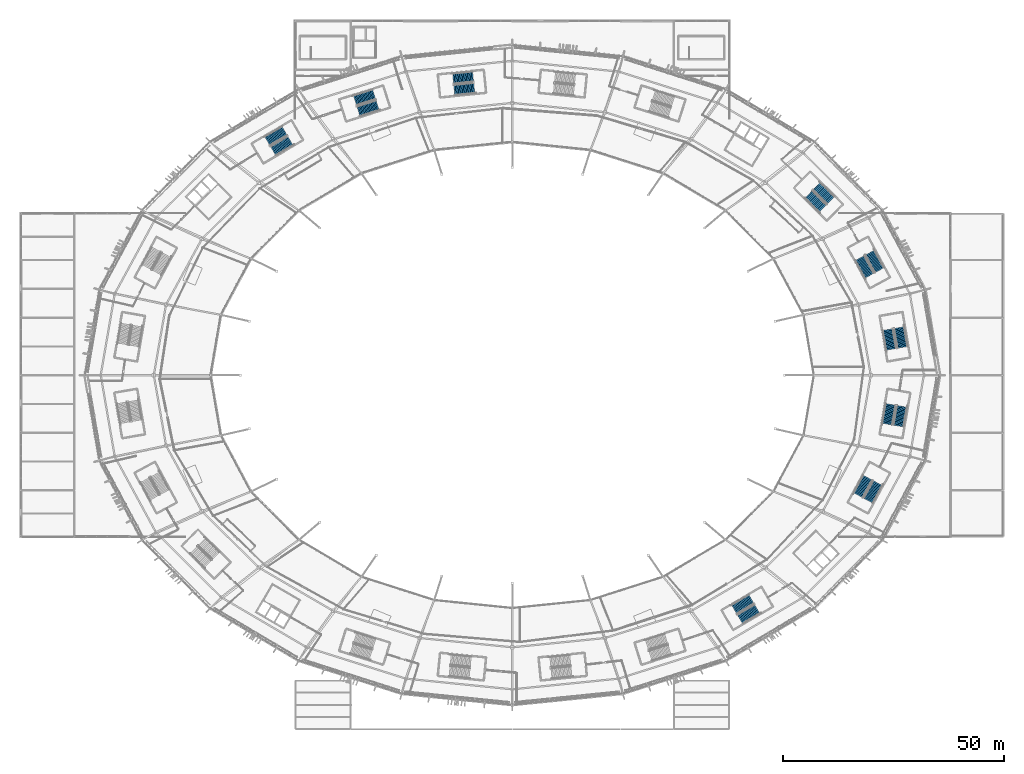
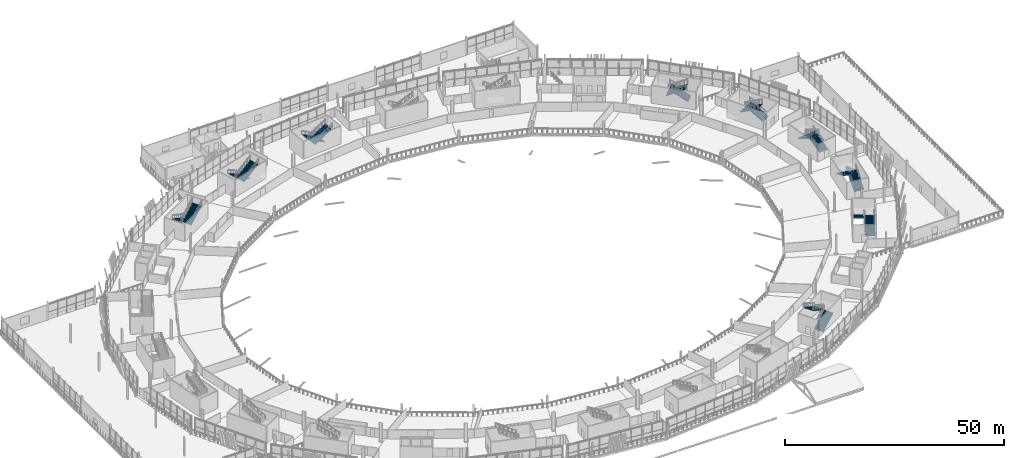
# One storey, part 130 of 168: 18 stair flights, 9 elements without a shape of their own.
"""IFC4 building model written with IfcOpenShell, lengths in metres."""

from ifc_helpers import new_model, si_unit, direction, frame, origin, place, context, subcontext, project, spatial, polyline, outline, extrude, material, type_object, element, aggregate, save


model = new_model("IFC4")

# Units and contexts
model_context = context("Model", 3, precision=1e-05, world=origin(), true_north=direction((0.0, 1.0)))
body_context = subcontext(model_context, "Body", "Model", "MODEL_VIEW")
ifc_project = project(units=[si_unit("LENGTHUNIT", "METRE"), si_unit("AREAUNIT", "SQUARE_METRE"), si_unit("VOLUMEUNIT", "CUBIC_METRE"), si_unit("PLANEANGLEUNIT", "RADIAN"), si_unit("MASSUNIT", "GRAM", prefix="KILO")], contexts=[model_context])

# Site, building, storey
site_placement = place(None, origin())
site = spatial("IfcSite", under=ifc_project, at=site_placement, CompositionType="ELEMENT")
building_placement = place(site_placement, origin())
building = spatial("IfcBuilding", under=site, at=building_placement, Name="Zlatoyarsky Gate Stadium", CompositionType="ELEMENT")
storey_placement = place(building_placement, frame((0.0, 0.0, 15.60009765625)))
storey = spatial("IfcBuildingStorey", under=building, at=storey_placement, Name="L03", CompositionType="ELEMENT", Elevation=15.60009765625)

# Stair, stair flights
ifc_material = material(Name="Concrete C40/50", Category="concrete")
stair_type = type_object("IfcStairType", Name="CONCRETE DOGLEG EXIT STAIR H5200", PredefinedType="TWO_STRAIGHT_RUN_STAIR", material=ifc_material)
stair_1_placement = place(storey_placement, origin())
stair_1 = element("IfcStair", 1, at=stair_1_placement, inside=storey, type_object=stair_type, Name="L03 Exit Stair ST-01", PredefinedType="TWO_STRAIGHT_RUN_STAIR")
stair_flight_type = type_object("IfcStairFlightType", Name="CONCRETE STAIR FLIGHT 2400 H5200", PredefinedType="STRAIGHT", material=ifc_material)
stair_flight_1_placement = place(storey_placement, frame((199.19287109375, 86.28125, 0.0), z_axis=(0.0, 0.0, 1.0), x_axis=(-0.169937754623, 0.985454798331, 0.0)))
stair_flight_1 = element("IfcStairFlight", 2, at=stair_flight_1_placement, type_object=stair_flight_type, Name="ST-DG52 flight 1", NumberOfRisers=16, NumberOfTreads=15, PredefinedType="STRAIGHT", RiserHeight=0.1625, TreadLength=0.3, context=body_context, shape_type="SweptSolid", body=[
    extrude(outline(polyline([(-0.006103515625, -0.193359375), (-0.006103515625, 0.0), (0.0, 0.0), (0.0, 0.16259765625), (0.300048828125, 0.16259765625), (0.300048828125, 0.324951171875), (0.60009765625, 0.324951171875), (0.60009765625, 0.487548828125), (0.89990234375, 0.487548828125), (0.89990234375, 0.64990234375), (1.199951171875, 0.64990234375), (1.199951171875, 0.8125), (1.5, 0.8125), (1.5, 0.97509765625), (1.800048828125, 0.97509765625), (1.800048828125, 1.137451171875), (2.10009765625, 1.137451171875), (2.10009765625, 1.300048828125), (2.39990234375, 1.300048828125), (2.39990234375, 1.46240234375), (2.699951171875, 1.46240234375), (2.699951171875, 1.625), (3.0, 1.625), (3.0, 1.78759765625), (3.300048828125, 1.78759765625), (3.300048828125, 1.949951171875), (3.60009765625, 1.949951171875), (3.60009765625, 2.112548828125), (3.89990234375, 2.112548828125), (3.89990234375, 2.27490234375), (4.199951171875, 2.27490234375), (4.199951171875, 2.4375), (4.5, 2.4375), (4.5, 2.60009765625), (4.506103515625, 2.60009765625), (4.506103515625, 2.244140625), (4.5, 2.244140625), (-0.006103515625, -0.193359375)])), frame((0.0, 1.199951171875, 0.0), z_axis=(0.0, -1.0, 0.0), x_axis=(1.0, 0.0, 0.0)), (0.0, 0.0, 1.0), 2.39990234375),
])
stair_flight_2_placement = place(storey_placement, frame((195.865966796875, 90.27392578125, 2.599853515625), z_axis=(0.0, 0.0, 1.0), x_axis=(0.169937754623, -0.985454798331, 0.0)))
stair_flight_2 = element("IfcStairFlight", 3, at=stair_flight_2_placement, type_object=stair_flight_type, Name="ST-DG52 flight 2", NumberOfRisers=16, NumberOfTreads=15, PredefinedType="STRAIGHT", RiserHeight=0.1625, TreadLength=0.3, context=body_context, shape_type="SweptSolid", body=[
    extrude(outline(polyline([(-0.006103515625, -0.193359375), (-0.006103515625, 0.0), (0.0, 0.0), (0.0, 0.16259765625), (0.300048828125, 0.16259765625), (0.300048828125, 0.324951171875), (0.60009765625, 0.324951171875), (0.60009765625, 0.487548828125), (0.89990234375, 0.487548828125), (0.89990234375, 0.64990234375), (1.199951171875, 0.64990234375), (1.199951171875, 0.8125), (1.5, 0.8125), (1.5, 0.97509765625), (1.800048828125, 0.97509765625), (1.800048828125, 1.137451171875), (2.10009765625, 1.137451171875), (2.10009765625, 1.300048828125), (2.39990234375, 1.300048828125), (2.39990234375, 1.46240234375), (2.699951171875, 1.46240234375), (2.699951171875, 1.625), (3.0, 1.625), (3.0, 1.78759765625), (3.300048828125, 1.78759765625), (3.300048828125, 1.949951171875), (3.60009765625, 1.949951171875), (3.60009765625, 2.112548828125), (3.89990234375, 2.112548828125), (3.89990234375, 2.27490234375), (4.199951171875, 2.27490234375), (4.199951171875, 2.4375), (4.5, 2.4375), (4.5, 2.60009765625), (4.506103515625, 2.60009765625), (4.506103515625, 2.244140625), (4.5, 2.244140625), (-0.006103515625, -0.193359375)])), frame((0.0, 1.199951171875, 0.0), z_axis=(0.0, -1.0, 0.0), x_axis=(1.0, 0.0, 0.0)), (0.0, 0.0, 1.0), 2.39990234375),
])
aggregate(stair_1, [stair_flight_1, stair_flight_2])

stair_2_placement = place(storey_placement, origin())
stair_2 = element("IfcStair", 4, at=stair_2_placement, inside=storey, type_object=stair_type, Name="L03 Exit Stair ST-02", PredefinedType="TWO_STRAIGHT_RUN_STAIR")
stair_flight_3_placement = place(storey_placement, frame((182.98193359375, 119.49658203125, 0.0), z_axis=(0.0, 0.0, 1.0), x_axis=(-0.708901395436, 0.70530760066, 0.0)))
stair_flight_3 = element("IfcStairFlight", 5, at=stair_flight_3_placement, type_object=stair_flight_type, Name="ST-DG52 flight 1", NumberOfRisers=16, NumberOfTreads=15, PredefinedType="STRAIGHT", RiserHeight=0.1625, TreadLength=0.3, context=body_context, shape_type="SweptSolid", body=[
    extrude(outline(polyline([(-0.006103515625, -0.193359375), (-0.006103515625, 0.0), (0.0, 0.0), (0.0, 0.16259765625), (0.300048828125, 0.16259765625), (0.300048828125, 0.324951171875), (0.60009765625, 0.324951171875), (0.60009765625, 0.487548828125), (0.89990234375, 0.487548828125), (0.89990234375, 0.64990234375), (1.199951171875, 0.64990234375), (1.199951171875, 0.8125), (1.5, 0.8125), (1.5, 0.97509765625), (1.800048828125, 0.97509765625), (1.800048828125, 1.137451171875), (2.10009765625, 1.137451171875), (2.10009765625, 1.300048828125), (2.39990234375, 1.300048828125), (2.39990234375, 1.46240234375), (2.699951171875, 1.46240234375), (2.699951171875, 1.625), (3.0, 1.625), (3.0, 1.78759765625), (3.300048828125, 1.78759765625), (3.300048828125, 1.949951171875), (3.60009765625, 1.949951171875), (3.60009765625, 2.112548828125), (3.89990234375, 2.112548828125), (3.89990234375, 2.27490234375), (4.199951171875, 2.27490234375), (4.199951171875, 2.4375), (4.5, 2.4375), (4.5, 2.60009765625), (4.506103515625, 2.60009765625), (4.506103515625, 2.244140625), (4.5, 2.244140625), (-0.006103515625, -0.193359375)])), frame((0.0, 1.199951171875, 0.0), z_axis=(0.0, -1.0, 0.0), x_axis=(1.0, 0.0, 0.0)), (0.0, 0.0, 1.0), 2.39990234375),
])
stair_flight_4_placement = place(storey_placement, frame((177.9580078125, 120.827392578125, 2.599853515625), z_axis=(0.0, 0.0, 1.0), x_axis=(0.708901395436, -0.70530760066, 0.0)))
stair_flight_4 = element("IfcStairFlight", 6, at=stair_flight_4_placement, type_object=stair_flight_type, Name="ST-DG52 flight 2", NumberOfRisers=16, NumberOfTreads=15, PredefinedType="STRAIGHT", RiserHeight=0.1625, TreadLength=0.3, context=body_context, shape_type="SweptSolid", body=[
    extrude(outline(polyline([(-0.006103515625, -0.193359375), (-0.006103515625, 0.0), (0.0, 0.0), (0.0, 0.16259765625), (0.300048828125, 0.16259765625), (0.300048828125, 0.324951171875), (0.60009765625, 0.324951171875), (0.60009765625, 0.487548828125), (0.89990234375, 0.487548828125), (0.89990234375, 0.64990234375), (1.199951171875, 0.64990234375), (1.199951171875, 0.8125), (1.5, 0.8125), (1.5, 0.97509765625), (1.800048828125, 0.97509765625), (1.800048828125, 1.137451171875), (2.10009765625, 1.137451171875), (2.10009765625, 1.300048828125), (2.39990234375, 1.300048828125), (2.39990234375, 1.46240234375), (2.699951171875, 1.46240234375), (2.699951171875, 1.625), (3.0, 1.625), (3.0, 1.78759765625), (3.300048828125, 1.78759765625), (3.300048828125, 1.949951171875), (3.60009765625, 1.949951171875), (3.60009765625, 2.112548828125), (3.89990234375, 2.112548828125), (3.89990234375, 2.27490234375), (4.199951171875, 2.27490234375), (4.199951171875, 2.4375), (4.5, 2.4375), (4.5, 2.60009765625), (4.506103515625, 2.60009765625), (4.506103515625, 2.244140625), (4.5, 2.244140625), (-0.006103515625, -0.193359375)])), frame((0.0, 1.199951171875, 0.0), z_axis=(0.0, -1.0, 0.0), x_axis=(1.0, 0.0, 0.0)), (0.0, 0.0, 1.0), 2.39990234375),
])
aggregate(stair_2, [stair_flight_3, stair_flight_4])

stair_3_placement = place(storey_placement, origin())
stair_3 = element("IfcStair", 7, at=stair_3_placement, inside=storey, type_object=stair_type, Name="L03 Exit Stair ST-04", PredefinedType="TWO_STRAIGHT_RUN_STAIR")
stair_flight_5_placement = place(storey_placement, frame((102.123779296875, 147.4267578125, 0.0), z_axis=(0.0, 0.0, 1.0), x_axis=(-0.994986861964, -0.100005722426, 0.0)))
stair_flight_5 = element("IfcStairFlight", 8, at=stair_flight_5_placement, type_object=stair_flight_type, Name="ST-DG52 flight 1", NumberOfRisers=16, NumberOfTreads=15, PredefinedType="STRAIGHT", RiserHeight=0.1625, TreadLength=0.3, context=body_context, shape_type="SweptSolid", body=[
    extrude(outline(polyline([(-0.006103515625, -0.193359375), (-0.006103515625, 0.0), (0.0, 0.0), (0.0, 0.16259765625), (0.300048828125, 0.16259765625), (0.300048828125, 0.324951171875), (0.60009765625, 0.324951171875), (0.60009765625, 0.487548828125), (0.89990234375, 0.487548828125), (0.89990234375, 0.64990234375), (1.199951171875, 0.64990234375), (1.199951171875, 0.8125), (1.5, 0.8125), (1.5, 0.97509765625), (1.800048828125, 0.97509765625), (1.800048828125, 1.137451171875), (2.10009765625, 1.137451171875), (2.10009765625, 1.300048828125), (2.39990234375, 1.300048828125), (2.39990234375, 1.46240234375), (2.699951171875, 1.46240234375), (2.699951171875, 1.625), (3.0, 1.625), (3.0, 1.78759765625), (3.300048828125, 1.78759765625), (3.300048828125, 1.949951171875), (3.60009765625, 1.949951171875), (3.60009765625, 2.112548828125), (3.89990234375, 2.112548828125), (3.89990234375, 2.27490234375), (4.199951171875, 2.27490234375), (4.199951171875, 2.4375), (4.5, 2.4375), (4.5, 2.60009765625), (4.506103515625, 2.60009765625), (4.506103515625, 2.244140625), (4.5, 2.244140625), (-0.006103515625, -0.193359375)])), frame((0.0, 1.199951171875, 0.0), z_axis=(0.0, -1.0, 0.0), x_axis=(1.0, 0.0, 0.0)), (0.0, 0.0, 1.0), 2.39990234375),
])
stair_flight_6_placement = place(storey_placement, frame((97.906494140625, 144.389892578125, 2.599853515625), z_axis=(0.0, 0.0, 1.0), x_axis=(0.994986861964, 0.100005722426, 0.0)))
stair_flight_6 = element("IfcStairFlight", 9, at=stair_flight_6_placement, type_object=stair_flight_type, Name="ST-DG52 flight 2", NumberOfRisers=16, NumberOfTreads=15, PredefinedType="STRAIGHT", RiserHeight=0.1625, TreadLength=0.3, context=body_context, shape_type="SweptSolid", body=[
    extrude(outline(polyline([(-0.006103515625, -0.193359375), (-0.006103515625, 0.0), (0.0, 0.0), (0.0, 0.16259765625), (0.300048828125, 0.16259765625), (0.300048828125, 0.324951171875), (0.60009765625, 0.324951171875), (0.60009765625, 0.487548828125), (0.89990234375, 0.487548828125), (0.89990234375, 0.64990234375), (1.199951171875, 0.64990234375), (1.199951171875, 0.8125), (1.5, 0.8125), (1.5, 0.97509765625), (1.800048828125, 0.97509765625), (1.800048828125, 1.137451171875), (2.10009765625, 1.137451171875), (2.10009765625, 1.300048828125), (2.39990234375, 1.300048828125), (2.39990234375, 1.46240234375), (2.699951171875, 1.46240234375), (2.699951171875, 1.625), (3.0, 1.625), (3.0, 1.78759765625), (3.300048828125, 1.78759765625), (3.300048828125, 1.949951171875), (3.60009765625, 1.949951171875), (3.60009765625, 2.112548828125), (3.89990234375, 2.112548828125), (3.89990234375, 2.27490234375), (4.199951171875, 2.27490234375), (4.199951171875, 2.4375), (4.5, 2.4375), (4.5, 2.60009765625), (4.506103515625, 2.60009765625), (4.506103515625, 2.244140625), (4.5, 2.244140625), (-0.006103515625, -0.193359375)])), frame((0.0, 1.199951171875, 0.0), z_axis=(0.0, -1.0, 0.0), x_axis=(1.0, 0.0, 0.0)), (0.0, 0.0, 1.0), 2.39990234375),
])
aggregate(stair_3, [stair_flight_5, stair_flight_6])

stair_4_placement = place(storey_placement, origin())
stair_4 = element("IfcStair", 10, at=stair_4_placement, inside=storey, type_object=stair_type, Name="L03 Exit Stair ST-05", PredefinedType="TWO_STRAIGHT_RUN_STAIR")
stair_flight_7_placement = place(storey_placement, frame((59.540771484375, 135.1689453125, 0.0), z_axis=(0.0, 0.0, 1.0), x_axis=(-0.86284821159, -0.505463118096, 0.0)))
stair_flight_7 = element("IfcStairFlight", 11, at=stair_flight_7_placement, type_object=stair_flight_type, Name="ST-DG52 flight 1", NumberOfRisers=16, NumberOfTreads=15, PredefinedType="STRAIGHT", RiserHeight=0.1625, TreadLength=0.3, context=body_context, shape_type="SweptSolid", body=[
    extrude(outline(polyline([(-0.006103515625, -0.193359375), (-0.006103515625, 0.0), (0.0, 0.0), (0.0, 0.16259765625), (0.300048828125, 0.16259765625), (0.300048828125, 0.324951171875), (0.60009765625, 0.324951171875), (0.60009765625, 0.487548828125), (0.89990234375, 0.487548828125), (0.89990234375, 0.64990234375), (1.199951171875, 0.64990234375), (1.199951171875, 0.8125), (1.5, 0.8125), (1.5, 0.97509765625), (1.800048828125, 0.97509765625), (1.800048828125, 1.137451171875), (2.10009765625, 1.137451171875), (2.10009765625, 1.300048828125), (2.39990234375, 1.300048828125), (2.39990234375, 1.46240234375), (2.699951171875, 1.46240234375), (2.699951171875, 1.625), (3.0, 1.625), (3.0, 1.78759765625), (3.300048828125, 1.78759765625), (3.300048828125, 1.949951171875), (3.60009765625, 1.949951171875), (3.60009765625, 2.112548828125), (3.89990234375, 2.112548828125), (3.89990234375, 2.27490234375), (4.199951171875, 2.27490234375), (4.199951171875, 2.4375), (4.5, 2.4375), (4.5, 2.60009765625), (4.506103515625, 2.60009765625), (4.506103515625, 2.244140625), (4.5, 2.244140625), (-0.006103515625, -0.193359375)])), frame((0.0, 1.199951171875, 0.0), z_axis=(0.0, -1.0, 0.0), x_axis=(1.0, 0.0, 0.0)), (0.0, 0.0, 1.0), 2.39990234375),
])
stair_flight_8_placement = place(storey_placement, frame((56.97216796875, 130.651123046875, 2.599853515625), z_axis=(0.0, 0.0, 1.0), x_axis=(0.86284821159, 0.505463118096, 0.0)))
stair_flight_8 = element("IfcStairFlight", 12, at=stair_flight_8_placement, type_object=stair_flight_type, Name="ST-DG52 flight 2", NumberOfRisers=16, NumberOfTreads=15, PredefinedType="STRAIGHT", RiserHeight=0.1625, TreadLength=0.3, context=body_context, shape_type="SweptSolid", body=[
    extrude(outline(polyline([(-0.006103515625, -0.193359375), (-0.006103515625, 0.0), (0.0, 0.0), (0.0, 0.16259765625), (0.300048828125, 0.16259765625), (0.300048828125, 0.324951171875), (0.60009765625, 0.324951171875), (0.60009765625, 0.487548828125), (0.89990234375, 0.487548828125), (0.89990234375, 0.64990234375), (1.199951171875, 0.64990234375), (1.199951171875, 0.8125), (1.5, 0.8125), (1.5, 0.97509765625), (1.800048828125, 0.97509765625), (1.800048828125, 1.137451171875), (2.10009765625, 1.137451171875), (2.10009765625, 1.300048828125), (2.39990234375, 1.300048828125), (2.39990234375, 1.46240234375), (2.699951171875, 1.46240234375), (2.699951171875, 1.625), (3.0, 1.625), (3.0, 1.78759765625), (3.300048828125, 1.78759765625), (3.300048828125, 1.949951171875), (3.60009765625, 1.949951171875), (3.60009765625, 2.112548828125), (3.89990234375, 2.112548828125), (3.89990234375, 2.27490234375), (4.199951171875, 2.27490234375), (4.199951171875, 2.4375), (4.5, 2.4375), (4.5, 2.60009765625), (4.506103515625, 2.60009765625), (4.506103515625, 2.244140625), (4.5, 2.244140625), (-0.006103515625, -0.193359375)])), frame((0.0, 1.199951171875, 0.0), z_axis=(0.0, -1.0, 0.0), x_axis=(1.0, 0.0, 0.0)), (0.0, 0.0, 1.0), 2.39990234375),
])
aggregate(stair_4, [stair_flight_7, stair_flight_8])

stair_5_placement = place(storey_placement, origin())
stair_5 = element("IfcStair", 13, at=stair_5_placement, inside=storey, type_object=stair_type, Name="L03 Exit Stair ST-11", PredefinedType="TWO_STRAIGHT_RUN_STAIR")
stair_flight_9_placement = place(storey_placement, frame((162.459228515625, 24.8310546875, 0.0), z_axis=(0.0, 0.0, 1.0), x_axis=(0.86284821159, 0.505463118096, 0.0)))
stair_flight_9 = element("IfcStairFlight", 14, at=stair_flight_9_placement, type_object=stair_flight_type, Name="ST-DG52 flight 1", NumberOfRisers=16, NumberOfTreads=15, PredefinedType="STRAIGHT", RiserHeight=0.1625, TreadLength=0.3, context=body_context, shape_type="SweptSolid", body=[
    extrude(outline(polyline([(-0.006103515625, -0.193359375), (-0.006103515625, 0.0), (0.0, 0.0), (0.0, 0.16259765625), (0.300048828125, 0.16259765625), (0.300048828125, 0.324951171875), (0.60009765625, 0.324951171875), (0.60009765625, 0.487548828125), (0.89990234375, 0.487548828125), (0.89990234375, 0.64990234375), (1.199951171875, 0.64990234375), (1.199951171875, 0.8125), (1.5, 0.8125), (1.5, 0.97509765625), (1.800048828125, 0.97509765625), (1.800048828125, 1.137451171875), (2.10009765625, 1.137451171875), (2.10009765625, 1.300048828125), (2.39990234375, 1.300048828125), (2.39990234375, 1.46240234375), (2.699951171875, 1.46240234375), (2.699951171875, 1.625), (3.0, 1.625), (3.0, 1.78759765625), (3.300048828125, 1.78759765625), (3.300048828125, 1.949951171875), (3.60009765625, 1.949951171875), (3.60009765625, 2.112548828125), (3.89990234375, 2.112548828125), (3.89990234375, 2.27490234375), (4.199951171875, 2.27490234375), (4.199951171875, 2.4375), (4.5, 2.4375), (4.5, 2.60009765625), (4.506103515625, 2.60009765625), (4.506103515625, 2.244140625), (4.5, 2.244140625), (-0.006103515625, -0.193359375)])), frame((0.0, 1.199951171875, 0.0), z_axis=(0.0, -1.0, 0.0), x_axis=(1.0, 0.0, 0.0)), (0.0, 0.0, 1.0), 2.39990234375),
])
stair_flight_10_placement = place(storey_placement, frame((165.02783203125, 29.348876953125, 2.599853515625), z_axis=(0.0, 0.0, 1.0), x_axis=(-0.86284821159, -0.505463118096, 0.0)))
stair_flight_10 = element("IfcStairFlight", 15, at=stair_flight_10_placement, type_object=stair_flight_type, Name="ST-DG52 flight 2", NumberOfRisers=16, NumberOfTreads=15, PredefinedType="STRAIGHT", RiserHeight=0.1625, TreadLength=0.3, context=body_context, shape_type="SweptSolid", body=[
    extrude(outline(polyline([(-0.006103515625, -0.193359375), (-0.006103515625, 0.0), (0.0, 0.0), (0.0, 0.16259765625), (0.300048828125, 0.16259765625), (0.300048828125, 0.324951171875), (0.60009765625, 0.324951171875), (0.60009765625, 0.487548828125), (0.89990234375, 0.487548828125), (0.89990234375, 0.64990234375), (1.199951171875, 0.64990234375), (1.199951171875, 0.8125), (1.5, 0.8125), (1.5, 0.97509765625), (1.800048828125, 0.97509765625), (1.800048828125, 1.137451171875), (2.10009765625, 1.137451171875), (2.10009765625, 1.300048828125), (2.39990234375, 1.300048828125), (2.39990234375, 1.46240234375), (2.699951171875, 1.46240234375), (2.699951171875, 1.625), (3.0, 1.625), (3.0, 1.78759765625), (3.300048828125, 1.78759765625), (3.300048828125, 1.949951171875), (3.60009765625, 1.949951171875), (3.60009765625, 2.112548828125), (3.89990234375, 2.112548828125), (3.89990234375, 2.27490234375), (4.199951171875, 2.27490234375), (4.199951171875, 2.4375), (4.5, 2.4375), (4.5, 2.60009765625), (4.506103515625, 2.60009765625), (4.506103515625, 2.244140625), (4.5, 2.244140625), (-0.006103515625, -0.193359375)])), frame((0.0, 1.199951171875, 0.0), z_axis=(0.0, -1.0, 0.0), x_axis=(1.0, 0.0, 0.0)), (0.0, 0.0, 1.0), 2.39990234375),
])
aggregate(stair_5, [stair_flight_9, stair_flight_10])

stair_6_placement = place(storey_placement, origin())
stair_6 = element("IfcStair", 16, at=stair_6_placement, inside=storey, type_object=stair_type, Name="L03 Exit Stair ST-12", PredefinedType="TWO_STRAIGHT_RUN_STAIR")
stair_flight_11_placement = place(storey_placement, frame((191.4482421875, 51.62646484375, 0.0), z_axis=(0.0, 0.0, 1.0), x_axis=(0.476890318595, 0.878962811518, 0.0)))
stair_flight_11 = element("IfcStairFlight", 17, at=stair_flight_11_placement, type_object=stair_flight_type, Name="ST-DG52 flight 1", NumberOfRisers=16, NumberOfTreads=15, PredefinedType="STRAIGHT", RiserHeight=0.1625, TreadLength=0.3, context=body_context, shape_type="SweptSolid", body=[
    extrude(outline(polyline([(-0.006103515625, -0.193359375), (-0.006103515625, 0.0), (0.0, 0.0), (0.0, 0.16259765625), (0.300048828125, 0.16259765625), (0.300048828125, 0.324951171875), (0.60009765625, 0.324951171875), (0.60009765625, 0.487548828125), (0.89990234375, 0.487548828125), (0.89990234375, 0.64990234375), (1.199951171875, 0.64990234375), (1.199951171875, 0.8125), (1.5, 0.8125), (1.5, 0.97509765625), (1.800048828125, 0.97509765625), (1.800048828125, 1.137451171875), (2.10009765625, 1.137451171875), (2.10009765625, 1.300048828125), (2.39990234375, 1.300048828125), (2.39990234375, 1.46240234375), (2.699951171875, 1.46240234375), (2.699951171875, 1.625), (3.0, 1.625), (3.0, 1.78759765625), (3.300048828125, 1.78759765625), (3.300048828125, 1.949951171875), (3.60009765625, 1.949951171875), (3.60009765625, 2.112548828125), (3.89990234375, 2.112548828125), (3.89990234375, 2.27490234375), (4.199951171875, 2.27490234375), (4.199951171875, 2.4375), (4.5, 2.4375), (4.5, 2.60009765625), (4.506103515625, 2.60009765625), (4.506103515625, 2.244140625), (4.5, 2.244140625), (-0.006103515625, -0.193359375)])), frame((0.0, 1.199951171875, 0.0), z_axis=(0.0, -1.0, 0.0), x_axis=(1.0, 0.0, 0.0)), (0.0, 0.0, 1.0), 2.39990234375),
])
stair_flight_12_placement = place(storey_placement, frame((191.308837890625, 56.82177734375, 2.599853515625), z_axis=(0.0, 0.0, 1.0), x_axis=(-0.476890318595, -0.878962811518, 0.0)))
stair_flight_12 = element("IfcStairFlight", 18, at=stair_flight_12_placement, type_object=stair_flight_type, Name="ST-DG52 flight 2", NumberOfRisers=16, NumberOfTreads=15, PredefinedType="STRAIGHT", RiserHeight=0.1625, TreadLength=0.3, context=body_context, shape_type="SweptSolid", body=[
    extrude(outline(polyline([(-0.006103515625, -0.193359375), (-0.006103515625, 0.0), (0.0, 0.0), (0.0, 0.16259765625), (0.300048828125, 0.16259765625), (0.300048828125, 0.324951171875), (0.60009765625, 0.324951171875), (0.60009765625, 0.487548828125), (0.89990234375, 0.487548828125), (0.89990234375, 0.64990234375), (1.199951171875, 0.64990234375), (1.199951171875, 0.8125), (1.5, 0.8125), (1.5, 0.97509765625), (1.800048828125, 0.97509765625), (1.800048828125, 1.137451171875), (2.10009765625, 1.137451171875), (2.10009765625, 1.300048828125), (2.39990234375, 1.300048828125), (2.39990234375, 1.46240234375), (2.699951171875, 1.46240234375), (2.699951171875, 1.625), (3.0, 1.625), (3.0, 1.78759765625), (3.300048828125, 1.78759765625), (3.300048828125, 1.949951171875), (3.60009765625, 1.949951171875), (3.60009765625, 2.112548828125), (3.89990234375, 2.112548828125), (3.89990234375, 2.27490234375), (4.199951171875, 2.27490234375), (4.199951171875, 2.4375), (4.5, 2.4375), (4.5, 2.60009765625), (4.506103515625, 2.60009765625), (4.506103515625, 2.244140625), (4.5, 2.244140625), (-0.006103515625, -0.193359375)])), frame((0.0, 1.199951171875, 0.0), z_axis=(0.0, -1.0, 0.0), x_axis=(1.0, 0.0, 0.0)), (0.0, 0.0, 1.0), 2.39990234375),
])
aggregate(stair_6, [stair_flight_11, stair_flight_12])

stair_7_placement = place(storey_placement, origin())
stair_7 = element("IfcStair", 19, at=stair_7_placement, inside=storey, type_object=stair_type, Name="L03 Exit Stair ST-13", PredefinedType="TWO_STRAIGHT_RUN_STAIR")
stair_flight_13_placement = place(storey_placement, frame((193.9755859375, 103.715087890625, 0.0), z_axis=(0.0, 0.0, 1.0), x_axis=(-0.476890318595, 0.878962811518, 0.0)))
stair_flight_13 = element("IfcStairFlight", 20, at=stair_flight_13_placement, type_object=stair_flight_type, Name="ST-DG52 flight 1", NumberOfRisers=16, NumberOfTreads=15, PredefinedType="STRAIGHT", RiserHeight=0.1625, TreadLength=0.3, context=body_context, shape_type="SweptSolid", body=[
    extrude(outline(polyline([(-0.006103515625, -0.193359375), (-0.006103515625, 0.0), (0.0, 0.0), (0.0, 0.16259765625), (0.300048828125, 0.16259765625), (0.300048828125, 0.324951171875), (0.60009765625, 0.324951171875), (0.60009765625, 0.487548828125), (0.89990234375, 0.487548828125), (0.89990234375, 0.64990234375), (1.199951171875, 0.64990234375), (1.199951171875, 0.8125), (1.5, 0.8125), (1.5, 0.97509765625), (1.800048828125, 0.97509765625), (1.800048828125, 1.137451171875), (2.10009765625, 1.137451171875), (2.10009765625, 1.300048828125), (2.39990234375, 1.300048828125), (2.39990234375, 1.46240234375), (2.699951171875, 1.46240234375), (2.699951171875, 1.625), (3.0, 1.625), (3.0, 1.78759765625), (3.300048828125, 1.78759765625), (3.300048828125, 1.949951171875), (3.60009765625, 1.949951171875), (3.60009765625, 2.112548828125), (3.89990234375, 2.112548828125), (3.89990234375, 2.27490234375), (4.199951171875, 2.27490234375), (4.199951171875, 2.4375), (4.5, 2.4375), (4.5, 2.60009765625), (4.506103515625, 2.60009765625), (4.506103515625, 2.244140625), (4.5, 2.244140625), (-0.006103515625, -0.193359375)])), frame((0.0, 1.199951171875, 0.0), z_axis=(0.0, -1.0, 0.0), x_axis=(1.0, 0.0, 0.0)), (0.0, 0.0, 1.0), 2.39990234375),
])
stair_flight_14_placement = place(storey_placement, frame((189.54443359375, 106.430419921875, 2.599853515625), z_axis=(0.0, 0.0, 1.0), x_axis=(0.476890318595, -0.878962811518, 0.0)))
stair_flight_14 = element("IfcStairFlight", 21, at=stair_flight_14_placement, type_object=stair_flight_type, Name="ST-DG52 flight 2", NumberOfRisers=16, NumberOfTreads=15, PredefinedType="STRAIGHT", RiserHeight=0.1625, TreadLength=0.3, context=body_context, shape_type="SweptSolid", body=[
    extrude(outline(polyline([(-0.006103515625, -0.193359375), (-0.006103515625, 0.0), (0.0, 0.0), (0.0, 0.16259765625), (0.300048828125, 0.16259765625), (0.300048828125, 0.324951171875), (0.60009765625, 0.324951171875), (0.60009765625, 0.487548828125), (0.89990234375, 0.487548828125), (0.89990234375, 0.64990234375), (1.199951171875, 0.64990234375), (1.199951171875, 0.8125), (1.5, 0.8125), (1.5, 0.97509765625), (1.800048828125, 0.97509765625), (1.800048828125, 1.137451171875), (2.10009765625, 1.137451171875), (2.10009765625, 1.300048828125), (2.39990234375, 1.300048828125), (2.39990234375, 1.46240234375), (2.699951171875, 1.46240234375), (2.699951171875, 1.625), (3.0, 1.625), (3.0, 1.78759765625), (3.300048828125, 1.78759765625), (3.300048828125, 1.949951171875), (3.60009765625, 1.949951171875), (3.60009765625, 2.112548828125), (3.89990234375, 2.112548828125), (3.89990234375, 2.27490234375), (4.199951171875, 2.27490234375), (4.199951171875, 2.4375), (4.5, 2.4375), (4.5, 2.60009765625), (4.506103515625, 2.60009765625), (4.506103515625, 2.244140625), (4.5, 2.244140625), (-0.006103515625, -0.193359375)])), frame((0.0, 1.199951171875, 0.0), z_axis=(0.0, -1.0, 0.0), x_axis=(1.0, 0.0, 0.0)), (0.0, 0.0, 1.0), 2.39990234375),
])
aggregate(stair_7, [stair_flight_13, stair_flight_14])

stair_8_placement = place(storey_placement, origin())
stair_8 = element("IfcStair", 22, at=stair_8_placement, inside=storey, type_object=stair_type, Name="L03 Exit Stair ST-14", PredefinedType="TWO_STRAIGHT_RUN_STAIR")
stair_flight_15_placement = place(storey_placement, frame((79.76171875, 143.41796875, 0.0), z_axis=(0.0, 0.0, 1.0), x_axis=(-0.953463118711, -0.301509670257, 0.0)))
stair_flight_15 = element("IfcStairFlight", 23, at=stair_flight_15_placement, type_object=stair_flight_type, Name="ST-DG52 flight 1", NumberOfRisers=16, NumberOfTreads=15, PredefinedType="STRAIGHT", RiserHeight=0.1625, TreadLength=0.3, context=body_context, shape_type="SweptSolid", body=[
    extrude(outline(polyline([(-0.006103515625, -0.193359375), (-0.006103515625, 0.0), (0.0, 0.0), (0.0, 0.16259765625), (0.300048828125, 0.16259765625), (0.300048828125, 0.324951171875), (0.60009765625, 0.324951171875), (0.60009765625, 0.487548828125), (0.89990234375, 0.487548828125), (0.89990234375, 0.64990234375), (1.199951171875, 0.64990234375), (1.199951171875, 0.8125), (1.5, 0.8125), (1.5, 0.97509765625), (1.800048828125, 0.97509765625), (1.800048828125, 1.137451171875), (2.10009765625, 1.137451171875), (2.10009765625, 1.300048828125), (2.39990234375, 1.300048828125), (2.39990234375, 1.46240234375), (2.699951171875, 1.46240234375), (2.699951171875, 1.625), (3.0, 1.625), (3.0, 1.78759765625), (3.300048828125, 1.78759765625), (3.300048828125, 1.949951171875), (3.60009765625, 1.949951171875), (3.60009765625, 2.112548828125), (3.89990234375, 2.112548828125), (3.89990234375, 2.27490234375), (4.199951171875, 2.27490234375), (4.199951171875, 2.4375), (4.5, 2.4375), (4.5, 2.60009765625), (4.506103515625, 2.60009765625), (4.506103515625, 2.244140625), (4.5, 2.244140625), (-0.006103515625, -0.193359375)])), frame((0.0, 1.199951171875, 0.0), z_axis=(0.0, -1.0, 0.0), x_axis=(1.0, 0.0, 0.0)), (0.0, 0.0, 1.0), 2.39990234375),
])
stair_flight_16_placement = place(storey_placement, frame((76.255126953125, 139.582275390625, 2.599853515625), z_axis=(0.0, 0.0, 1.0), x_axis=(0.953463118711, 0.301509670257, 0.0)))
stair_flight_16 = element("IfcStairFlight", 24, at=stair_flight_16_placement, type_object=stair_flight_type, Name="ST-DG52 flight 2", NumberOfRisers=16, NumberOfTreads=15, PredefinedType="STRAIGHT", RiserHeight=0.1625, TreadLength=0.3, context=body_context, shape_type="SweptSolid", body=[
    extrude(outline(polyline([(-0.006103515625, -0.193359375), (-0.006103515625, 0.0), (0.0, 0.0), (0.0, 0.16259765625), (0.300048828125, 0.16259765625), (0.300048828125, 0.324951171875), (0.60009765625, 0.324951171875), (0.60009765625, 0.487548828125), (0.89990234375, 0.487548828125), (0.89990234375, 0.64990234375), (1.199951171875, 0.64990234375), (1.199951171875, 0.8125), (1.5, 0.8125), (1.5, 0.97509765625), (1.800048828125, 0.97509765625), (1.800048828125, 1.137451171875), (2.10009765625, 1.137451171875), (2.10009765625, 1.300048828125), (2.39990234375, 1.300048828125), (2.39990234375, 1.46240234375), (2.699951171875, 1.46240234375), (2.699951171875, 1.625), (3.0, 1.625), (3.0, 1.78759765625), (3.300048828125, 1.78759765625), (3.300048828125, 1.949951171875), (3.60009765625, 1.949951171875), (3.60009765625, 2.112548828125), (3.89990234375, 2.112548828125), (3.89990234375, 2.27490234375), (4.199951171875, 2.27490234375), (4.199951171875, 2.4375), (4.5, 2.4375), (4.5, 2.60009765625), (4.506103515625, 2.60009765625), (4.506103515625, 2.244140625), (4.5, 2.244140625), (-0.006103515625, -0.193359375)])), frame((0.0, 1.199951171875, 0.0), z_axis=(0.0, -1.0, 0.0), x_axis=(1.0, 0.0, 0.0)), (0.0, 0.0, 1.0), 2.39990234375),
])
aggregate(stair_8, [stair_flight_15, stair_flight_16])

stair_9_placement = place(storey_placement, origin())
stair_9 = element("IfcStair", 25, at=stair_9_placement, inside=storey, type_object=stair_type, Name="L03 Exit Stair ST-20", PredefinedType="TWO_STRAIGHT_RUN_STAIR")
stair_flight_17_placement = place(storey_placement, frame((198.292236328125, 68.495849609375, 0.0), z_axis=(0.0, 0.0, 1.0), x_axis=(0.169937754623, 0.985454798331, 0.0)))
stair_flight_17 = element("IfcStairFlight", 26, at=stair_flight_17_placement, type_object=stair_flight_type, Name="ST-DG52 flight 1", NumberOfRisers=16, NumberOfTreads=15, PredefinedType="STRAIGHT", RiserHeight=0.1625, TreadLength=0.3, context=body_context, shape_type="SweptSolid", body=[
    extrude(outline(polyline([(-0.006103515625, -0.193359375), (-0.006103515625, 0.0), (0.0, 0.0), (0.0, 0.16259765625), (0.300048828125, 0.16259765625), (0.300048828125, 0.324951171875), (0.60009765625, 0.324951171875), (0.60009765625, 0.487548828125), (0.89990234375, 0.487548828125), (0.89990234375, 0.64990234375), (1.199951171875, 0.64990234375), (1.199951171875, 0.8125), (1.5, 0.8125), (1.5, 0.97509765625), (1.800048828125, 0.97509765625), (1.800048828125, 1.137451171875), (2.10009765625, 1.137451171875), (2.10009765625, 1.300048828125), (2.39990234375, 1.300048828125), (2.39990234375, 1.46240234375), (2.699951171875, 1.46240234375), (2.699951171875, 1.625), (3.0, 1.625), (3.0, 1.78759765625), (3.300048828125, 1.78759765625), (3.300048828125, 1.949951171875), (3.60009765625, 1.949951171875), (3.60009765625, 2.112548828125), (3.89990234375, 2.112548828125), (3.89990234375, 2.27490234375), (4.199951171875, 2.27490234375), (4.199951171875, 2.4375), (4.5, 2.4375), (4.5, 2.60009765625), (4.506103515625, 2.60009765625), (4.506103515625, 2.244140625), (4.5, 2.244140625), (-0.006103515625, -0.193359375)])), frame((0.0, 1.199951171875, 0.0), z_axis=(0.0, -1.0, 0.0), x_axis=(1.0, 0.0, 0.0)), (0.0, 0.0, 1.0), 2.39990234375),
])
stair_flight_18_placement = place(storey_placement, frame((196.49462890625, 73.372314453125, 2.599853515625), z_axis=(0.0, 0.0, 1.0), x_axis=(-0.169937754623, -0.985454798331, 0.0)))
stair_flight_18 = element("IfcStairFlight", 27, at=stair_flight_18_placement, type_object=stair_flight_type, Name="ST-DG52 flight 2", NumberOfRisers=16, NumberOfTreads=15, PredefinedType="STRAIGHT", RiserHeight=0.1625, TreadLength=0.3, context=body_context, shape_type="SweptSolid", body=[
    extrude(outline(polyline([(-0.006103515625, -0.193359375), (-0.006103515625, 0.0), (0.0, 0.0), (0.0, 0.16259765625), (0.300048828125, 0.16259765625), (0.300048828125, 0.324951171875), (0.60009765625, 0.324951171875), (0.60009765625, 0.487548828125), (0.89990234375, 0.487548828125), (0.89990234375, 0.64990234375), (1.199951171875, 0.64990234375), (1.199951171875, 0.8125), (1.5, 0.8125), (1.5, 0.97509765625), (1.800048828125, 0.97509765625), (1.800048828125, 1.137451171875), (2.10009765625, 1.137451171875), (2.10009765625, 1.300048828125), (2.39990234375, 1.300048828125), (2.39990234375, 1.46240234375), (2.699951171875, 1.46240234375), (2.699951171875, 1.625), (3.0, 1.625), (3.0, 1.78759765625), (3.300048828125, 1.78759765625), (3.300048828125, 1.949951171875), (3.60009765625, 1.949951171875), (3.60009765625, 2.112548828125), (3.89990234375, 2.112548828125), (3.89990234375, 2.27490234375), (4.199951171875, 2.27490234375), (4.199951171875, 2.4375), (4.5, 2.4375), (4.5, 2.60009765625), (4.506103515625, 2.60009765625), (4.506103515625, 2.244140625), (4.5, 2.244140625), (-0.006103515625, -0.193359375)])), frame((0.0, 1.199951171875, 0.0), z_axis=(0.0, -1.0, 0.0), x_axis=(1.0, 0.0, 0.0)), (0.0, 0.0, 1.0), 2.39990234375),
])
aggregate(stair_9, [stair_flight_17, stair_flight_18])

save(model, "model.ifc")
